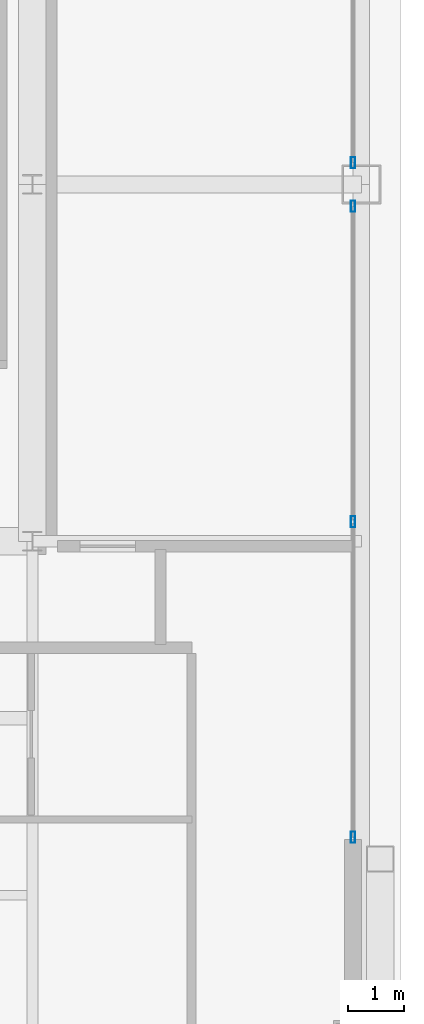
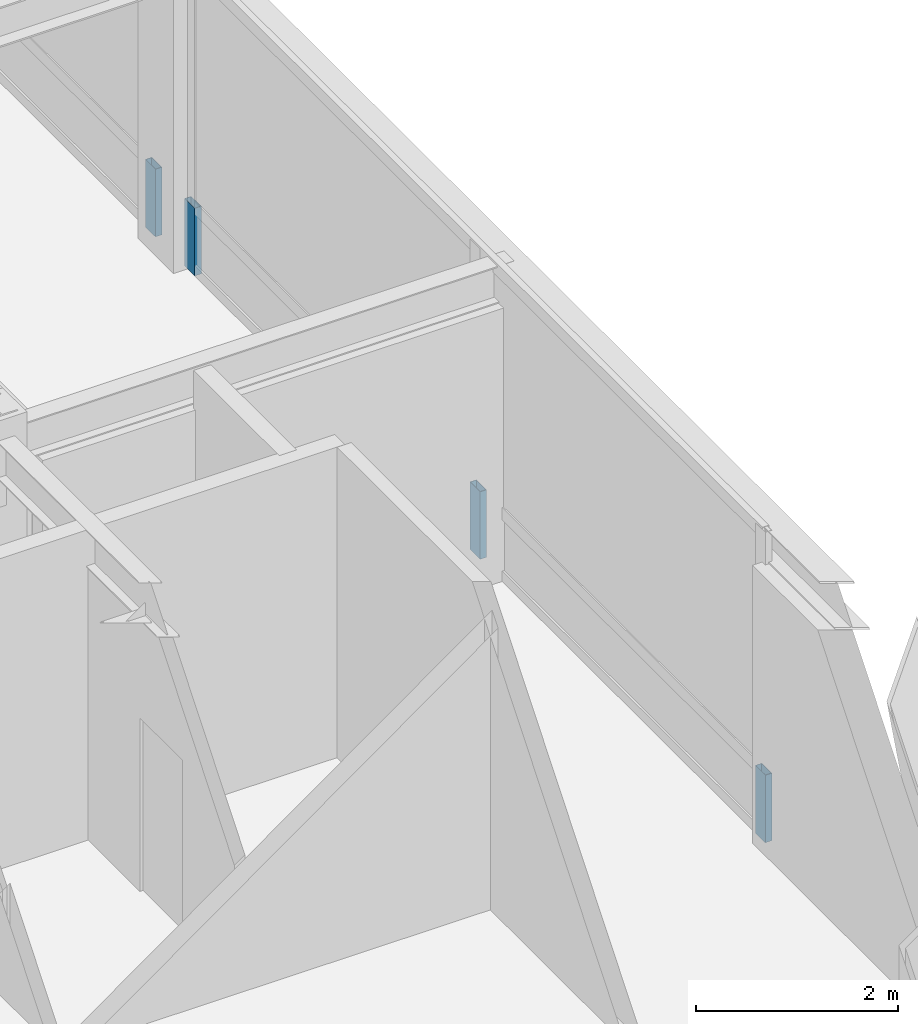
# One storey, part 24 of 35: 4 members, 2 elements without a shape of their own.
"""IFC4 building model written with IfcOpenShell, lengths in metres."""

import ifcopenshell
import ifcopenshell.guid

model = None  # the IFC model being written
_history = None  # IfcOwnerHistory: only IFC2X3 demands one
_inside = {}  # id of a spatial element -> (the spatial element, [elements in it])
_under = {}  # id of a project, library or spatial element -> (it, [spatial elements below it])
_declared = {}  # id of a project -> (the project, [libraries it declares])
_typed = {}  # id of a type object -> (the type object, [elements of that type])
_made_of = {}  # id of a material, layer set ... -> (it, [elements and type objects made of it])


def new_model(schema):
    """Start an empty IFC model of exactly this schema.

    Asked for "IFC4X3", IfcOpenShell would pick the latest addendum, in which some entities
    have other attributes; the version numbers below select the first issue.
    IFC2X3 requires an IfcOwnerHistory on every rooted entity: one is made here for all.
    """
    global model, _history
    if schema == "IFC4X3":
        model = ifcopenshell.file(schema_version=(4, 3, 0, 0))
    else:
        model = ifcopenshell.file(schema=schema)
    _inside.clear()
    _under.clear()
    _declared.clear()
    _typed.clear()
    _made_of.clear()
    _history = None
    if model.schema == "IFC2X3":
        org = make("IfcOrganization", Name="unknown")
        user = make(
            "IfcPersonAndOrganization",
            ThePerson=make("IfcPerson", FamilyName="unknown"),
            TheOrganization=org,
        )
        app = make(
            "IfcApplication",
            ApplicationDeveloper=org,
            Version="unknown",
            ApplicationFullName="unknown",
            ApplicationIdentifier="unknown",
        )
        _history = make(
            "IfcOwnerHistory",
            OwningUser=user,
            OwningApplication=app,
            ChangeAction="ADDED",
            CreationDate=0,
        )
    return model


def make(cls, **values):
    """One entity of the class cls with the attributes given. An attribute that is None is left unset."""
    return model.create_entity(
        cls, **{name: value for name, value in values.items() if value is not None}
    )


def rooted(cls, **values):
    """An entity with a GlobalId (a new one), such as an element, a storey or a relation."""
    return make(cls, GlobalId=ifcopenshell.guid.new(), OwnerHistory=_history, **values)


def si_unit(unit_type, name, prefix=None):
    """IfcSIUnit, for example si_unit("LENGTHUNIT", "METRE", prefix="MILLI")."""
    return make("IfcSIUnit", UnitType=unit_type, Prefix=prefix, Name=name)


def assignment(units):
    """IfcUnitAssignment: the units of a project."""
    return None if units is None else make("IfcUnitAssignment", Units=units)


def point(xyz):
    """IfcCartesianPoint."""
    return None if xyz is None else make("IfcCartesianPoint", Coordinates=xyz)


def direction(xyz):
    """IfcDirection."""
    return None if xyz is None else make("IfcDirection", DirectionRatios=xyz)


def frame(location, z_axis=None, x_axis=None):
    """IfcAxis2Placement3D, a coordinate frame: its origin and axes. An axis left out is left unset."""
    return make(
        "IfcAxis2Placement3D",
        Location=point(location),
        Axis=direction(z_axis),
        RefDirection=direction(x_axis),
    )


def frame_2d(location, x_axis=None):
    """IfcAxis2Placement2D, a coordinate frame in the plane: its origin and x axis."""
    return make(
        "IfcAxis2Placement2D", Location=point(location), RefDirection=direction(x_axis)
    )


def origin():
    """The frame at (0, 0, 0) with its axes left unset."""
    return frame((0.0, 0.0, 0.0))


def origin_2d():
    """The frame at (0, 0) in the plane with its x axis left unset."""
    return frame_2d((0.0, 0.0))


def place(relative_to, where):
    """IfcLocalPlacement: puts the frame where relative to a parent placement (None: the world)."""
    return make(
        "IfcLocalPlacement", PlacementRelTo=relative_to, RelativePlacement=where
    )


def context(
    kind, dimensions, precision=None, world=None, true_north=None, identifier=None
):
    """IfcGeometricRepresentationContext, for example the 3D "Model" context."""
    return make(
        "IfcGeometricRepresentationContext",
        ContextIdentifier=identifier,
        ContextType=kind,
        CoordinateSpaceDimension=dimensions,
        Precision=precision,
        WorldCoordinateSystem=world,
        TrueNorth=true_north,
    )


def subcontext(parent, identifier, kind, view, scale=None):
    """IfcGeometricRepresentationSubContext, for example "Body" below "Model"."""
    return make(
        "IfcGeometricRepresentationSubContext",
        ContextIdentifier=identifier,
        ContextType=kind,
        ParentContext=parent,
        TargetScale=scale,
        TargetView=view,
    )


def project(units=None, contexts=None):
    """IfcProject with its units and contexts."""
    return rooted(
        "IfcProject",
        Name="project",
        RepresentationContexts=contexts,
        UnitsInContext=assignment(units),
    )


def spatial(cls, under=None, at=None, **own):
    """A site, building, storey or space (cls), placed at a placement, below another one or the project."""
    s = rooted(cls, ObjectPlacement=at, **own)
    if under is not None:
        _under.setdefault(under.id(), (under, []))[1].append(s)
    return s


def profile(cls, at=None, kind="AREA", **sizes):
    """A parametric profile (cls). Its sizes go by their IFC names, for example OverallWidth=200.0."""
    return make(cls, ProfileType=kind, Position=at, **sizes)


def hollow_rectangle(**sizes):
    """IfcRectangleHollowProfileDef."""
    return profile("IfcRectangleHollowProfileDef", **sizes)


def extrude(swept, where, along, depth):
    """IfcExtrudedAreaSolid: the profile swept, set in the frame where, extruded along a direction by depth."""
    return make(
        "IfcExtrudedAreaSolid",
        SweptArea=swept,
        Position=where,
        ExtrudedDirection=direction(along),
        Depth=depth,
    )


def shape(context_of_items, identifier, shape_type, items):
    """IfcShapeRepresentation: the items that make up one representation, for example the "Body"."""
    return make(
        "IfcShapeRepresentation",
        ContextOfItems=context_of_items,
        RepresentationIdentifier=identifier,
        RepresentationType=shape_type,
        Items=items,
    )


def source(mapping_origin, context_of_items, identifier, shape_type, items):
    """IfcRepresentationMap: a shape defined once, which mapped items show again and again."""
    return make(
        "IfcRepresentationMap",
        MappingOrigin=mapping_origin,
        MappedRepresentation=shape(context_of_items, identifier, shape_type, items),
    )


def transform(
    local_origin,
    x_axis=None,
    y_axis=None,
    z_axis=None,
    scale=None,
    scale2=None,
    scale3=None,
    uniform=True,
):
    """IfcCartesianTransformationOperator3D, or its non-uniform kind. x_axis, y_axis, z_axis: its Axis1, 2, 3."""
    if uniform:
        return make(
            "IfcCartesianTransformationOperator3D",
            Axis1=direction(x_axis),
            Axis2=direction(y_axis),
            LocalOrigin=point(local_origin),
            Scale=scale,
            Axis3=direction(z_axis),
        )
    return make(
        "IfcCartesianTransformationOperator3DnonUniform",
        Axis1=direction(x_axis),
        Axis2=direction(y_axis),
        LocalOrigin=point(local_origin),
        Scale=scale,
        Axis3=direction(z_axis),
        Scale2=scale2,
        Scale3=scale3,
    )


def mapped(mapping_source, mapping_target):
    """IfcMappedItem: shows the shape of a source again, moved by a transform."""
    return make(
        "IfcMappedItem", MappingSource=mapping_source, MappingTarget=mapping_target
    )


def material(Name=None, Category=None):
    """IfcMaterial."""
    return make("IfcMaterial", Name=Name, Category=Category)


def layer(
    of_material, thickness, ventilated=None, Name=None, Category=None, Priority=None
):
    """IfcMaterialLayer: one layer of a wall or slab, of a material (None: an air gap)."""
    return make(
        "IfcMaterialLayer",
        Material=of_material,
        LayerThickness=thickness,
        IsVentilated=ventilated,
        Name=Name,
        Category=Category,
        Priority=Priority,
    )


def layer_set(layers, Name=None):
    """IfcMaterialLayerSet."""
    return make("IfcMaterialLayerSet", MaterialLayers=layers, LayerSetName=Name)


def material_profile(
    of_material, cross_section, Name=None, Category=None, Priority=None
):
    """IfcMaterialProfile: a cross section and its material."""
    return make(
        "IfcMaterialProfile",
        Name=Name,
        Material=of_material,
        Profile=cross_section,
        Priority=Priority,
        Category=Category,
    )


def profile_set(profiles, Name=None, composite=None):
    """IfcMaterialProfileSet."""
    return make(
        "IfcMaterialProfileSet",
        Name=Name,
        MaterialProfiles=profiles,
        CompositeProfile=composite,
    )


def made_of(thing, what):
    """Note that an element or type object is made of a material, layer set ...; save() writes the relation."""
    if what is not None:
        _made_of.setdefault(what.id(), (what, []))[1].append(thing)
    return thing


def type_object(cls, material=None, **own):
    """A type object (cls), such as IfcWallType, which elements share."""
    return made_of(rooted(cls, **own), material)


def element(
    cls,
    number,
    at=None,
    inside=None,
    cuts=None,
    type_object=None,
    material=None,
    context=None,
    identifier="Body",
    shape_type=None,
    held_by="IfcProductDefinitionShape",
    body=None,
    shapes=None,
    **own,
):
    """One element of the class cls, such as IfcWall. Its Tag is "e" and its number.

    at: its placement. inside: the storey or other place that contains it. cuts: it is an
    opening in that element (IfcRelVoidsElement). A single representation is given by context,
    identifier, shape_type and body (its items); several are given by shapes. held_by: the class
    of the entity that holds the representations. save() writes the other relations.
    """
    e = rooted(cls, Tag="e%d" % number, ObjectPlacement=at, **own)
    if body is not None:
        shapes = [shape(context, identifier, shape_type, body)]
    if shapes is not None:
        e.Representation = make(held_by, Representations=shapes)
    if inside is not None:
        _inside.setdefault(inside.id(), (inside, []))[1].append(e)
    if cuts is not None:
        rooted(
            "IfcRelVoidsElement", RelatingBuildingElement=cuts, RelatedOpeningElement=e
        )
    if type_object is not None:
        _typed.setdefault(type_object.id(), (type_object, []))[1].append(e)
    return made_of(e, material)


def aggregate(whole, parts):
    """IfcRelAggregates: a whole, such as a stair, and the parts it consists of."""
    return rooted("IfcRelAggregates", RelatingObject=whole, RelatedObjects=parts)


def save(model, path):
    """Write the relations noted so far, then the file.

    IfcRelAggregates (storeys below a building ...), IfcRelContainedInSpatialStructure (elements
    in a storey), IfcRelDefinesByType, IfcRelAssociatesMaterial and IfcRelDeclares: one each for
    every whole, place, type object, material and project.
    """
    for whole, parts in _under.values():
        aggregate(whole, parts)
    for where, things in _inside.values():
        rooted(
            "IfcRelContainedInSpatialStructure",
            RelatedElements=things,
            RelatingStructure=where,
        )
    for kind, things in _typed.values():
        rooted("IfcRelDefinesByType", RelatedObjects=things, RelatingType=kind)
    for what, things in _made_of.values():
        rooted("IfcRelAssociatesMaterial", RelatedObjects=things, RelatingMaterial=what)
    for by, libraries in _declared.values():
        rooted("IfcRelDeclares", RelatingContext=by, RelatedDefinitions=libraries)
    model.write(path)


model = new_model("IFC4")

# Units and contexts
model_context = context("Model", 3, precision=1e-05, world=origin(), true_north=direction((0.0, 1.0)))
body_context = subcontext(model_context, "Body", "Model", "MODEL_VIEW")
ifc_project = project(units=[si_unit("LENGTHUNIT", "METRE"), si_unit("AREAUNIT", "SQUARE_METRE"), si_unit("VOLUMEUNIT", "CUBIC_METRE"), si_unit("PLANEANGLEUNIT", "RADIAN"), si_unit("MASSUNIT", "GRAM", prefix="KILO"), si_unit("THERMODYNAMICTEMPERATUREUNIT", "KELVIN"), si_unit("POWERUNIT", "WATT")], contexts=[model_context])

# Site, building, storey
site_placement = place(None, origin())
site = spatial("IfcSite", under=ifc_project, at=site_placement, CompositionType="ELEMENT")
building_placement = place(site_placement, origin())
building = spatial("IfcBuilding", under=site, at=building_placement, Name="Yuzanri Waterfront Tower", CompositionType="ELEMENT")
storey_placement = place(building_placement, frame((0.0, 0.0, 343.199951171875)))
storey = spatial("IfcBuildingStorey", under=building, at=storey_placement, Name="L92", CompositionType="ELEMENT", Elevation=343.199951171875)

# Curtain wall, members
ifc_material_1 = material(Name="Anodized Architectural Bronze", Category="metal")
ifc_layer = layer(ifc_material_1, 0.159912109375)
ifc_layer_set = layer_set([ifc_layer], Name="Anodized Architectural Bronze")
curtain_wall_type = type_object("IfcCurtainWallType", Name="Anodized Bronze High-Rise Penthouse High-Wind Unitized Curtain Wall 6900", PredefinedType="NOTDEFINED", material=ifc_layer_set)
curtain_wall_1_placement = place(storey_placement, origin())
curtain_wall_1 = element("IfcCurtainWall", 1, at=curtain_wall_1_placement, inside=storey, type_object=curtain_wall_type, Name="L92 Curtain Wall CW-L92-EL", PredefinedType="NOTDEFINED")
ifc_material_2 = material(Name="Anodized Architectural Bronze", Category="metal")
ifc_material_profile = material_profile(ifc_material_2, hollow_rectangle(XDim=0.074951171875, YDim=0.199951171875, WallThickness=0.00390625, at=origin_2d()), Name="CWM 75x200")
ifc_profile_set = profile_set([ifc_material_profile], Name="Anodized Architectural Bronze")
member_type = type_object("IfcMemberType", Name="Anodized Bronze Primary Curtain-Wall Mullion 75x200", PredefinedType="MULLION", material=ifc_profile_set)
shared_shape = source(origin(), body_context, "Body", "SweptSolid", [
    extrude(hollow_rectangle(XDim=0.074951171875, YDim=0.199951171875, WallThickness=0.00390625, at=origin_2d()), origin(), (0.0, 0.0, 1.0), 0.818115234375),
])
member_1_placement = place(storey_placement, frame((55.949951171875, 14.090087890625, 0.0), z_axis=(0.0, 0.0, 1.0), x_axis=(1.0, 0.0, 0.0)))
member_1 = element("IfcMember", 2, at=member_1_placement, type_object=member_type, Name="CW-L92-EL Lower Mullion 00", PredefinedType="MULLION", context=body_context, shape_type="MappedRepresentation", body=[
    mapped(shared_shape, transform((0.0, 0.0, 0.0), scale=1.0)),
])
member_2_placement = place(storey_placement, frame((55.949951171875, 19.75, 0.0), z_axis=(0.0, 0.0, 1.0), x_axis=(1.0, 0.0, 0.0)))
member_2 = element("IfcMember", 3, at=member_2_placement, type_object=member_type, Name="CW-L92-EL Lower Mullion 01", PredefinedType="MULLION", context=body_context, shape_type="MappedRepresentation", body=[
    mapped(shared_shape, transform((0.0, 0.0, 0.0), scale=1.0)),
])
member_3_placement = place(storey_placement, frame((55.949951171875, 25.409912109375, 0.0), z_axis=(0.0, 0.0, 1.0), x_axis=(1.0, 0.0, 0.0)))
member_3 = element("IfcMember", 4, at=member_3_placement, type_object=member_type, Name="CW-L92-EL Lower Mullion 02", PredefinedType="MULLION", context=body_context, shape_type="MappedRepresentation", body=[
    mapped(shared_shape, transform((0.0, 0.0, 0.0), scale=1.0)),
])
aggregate(curtain_wall_1, [member_1, member_2, member_3])

# Curtain wall, member
curtain_wall_2_placement = place(storey_placement, origin())
curtain_wall_2 = element("IfcCurtainWall", 5, at=curtain_wall_2_placement, inside=storey, type_object=curtain_wall_type, Name="L92 Curtain Wall CW-L92-ER", PredefinedType="NOTDEFINED")
member_4_placement = place(storey_placement, frame((55.949951171875, 26.18994140625, 0.0), z_axis=(0.0, 0.0, 1.0), x_axis=(1.0, 0.0, 0.0)))
member_4 = element("IfcMember", 6, at=member_4_placement, type_object=member_type, Name="CW-L92-ER Lower Mullion 00", PredefinedType="MULLION", context=body_context, shape_type="MappedRepresentation", body=[
    mapped(shared_shape, transform((0.0, 0.0, 0.0), scale=1.0)),
])
aggregate(curtain_wall_2, [member_4])

save(model, "model.ifc")
